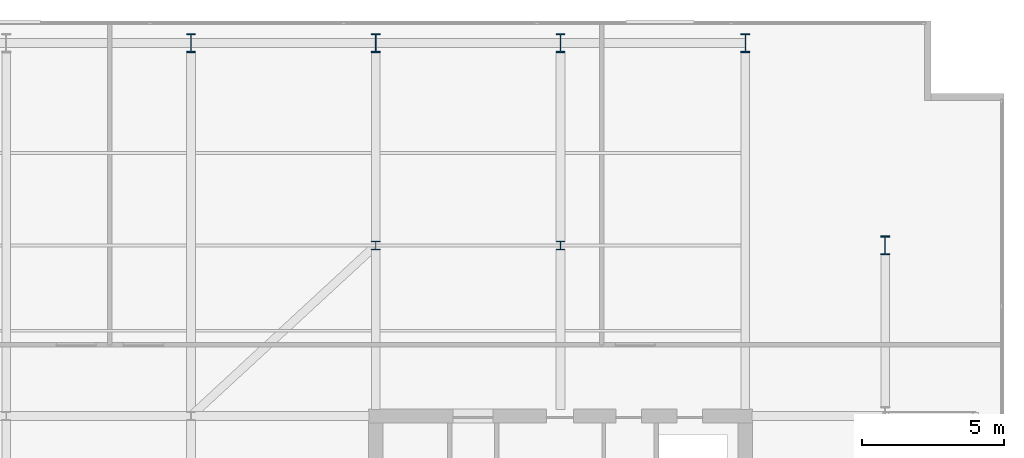
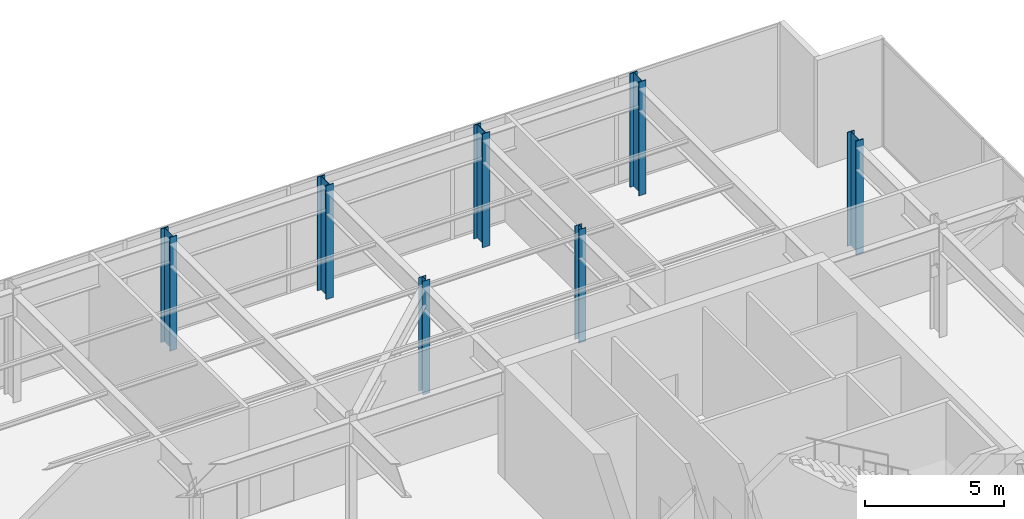
# One storey, part 4 of 23: 7 columns.
"""IFC4 building model written with IfcOpenShell, lengths in metres."""

from ifc_helpers import new_model, si_unit, direction, frame, origin, origin_2d, place, context, subcontext, project, spatial, i_section, extrude, material, material_profile, profile_set, type_object, element, save


model = new_model("IFC4")

# Units and contexts
model_context = context("Model", 3, precision=1e-05, world=origin(), true_north=direction((0.0, 1.0)))
body_context = subcontext(model_context, "Body", "Model", "MODEL_VIEW")
ifc_project = project(units=[si_unit("LENGTHUNIT", "METRE"), si_unit("AREAUNIT", "SQUARE_METRE"), si_unit("VOLUMEUNIT", "CUBIC_METRE"), si_unit("PLANEANGLEUNIT", "RADIAN"), si_unit("MASSUNIT", "GRAM", prefix="KILO")], contexts=[model_context])

# Site, building, storey
site_placement = place(None, origin())
site = spatial("IfcSite", under=ifc_project, at=site_placement, CompositionType="ELEMENT")
building_placement = place(site_placement, origin())
building = spatial("IfcBuilding", under=site, at=building_placement, Name="Putna Gate Headquarters", CompositionType="ELEMENT")
storey_placement = place(building_placement, frame((0.0, 0.0, 310.39990234375)))
storey = spatial("IfcBuildingStorey", under=building, at=storey_placement, Name="L78", CompositionType="ELEMENT", Elevation=310.39990234375)

# Columns
ifc_material = material(Name="Steel S460M", Category="steel")
ifc_material_profile_1 = material_profile(ifc_material, i_section(OverallWidth=0.300048828125, OverallDepth=0.300048828125, WebThickness=0.010986328125, FlangeThickness=0.01904296875, at=origin_2d()), Name="Steel S460M")
ifc_profile_set_1 = profile_set([ifc_material_profile_1], Name="Steel S460M")
column_type_1 = type_object("IfcColumnType", Name="COL-STL-HEB300-CRN", PredefinedType="COLUMN", material=ifc_profile_set_1)
for number, where, z_axis, x_axis, name in (
    (1, (58.5, 39.0, 0.0), (0.0, 0.0, 1.0), (1.0, 0.0, 0.0), "L78 Column CSI-EN"),
    (2, (52.0, 39.0, 0.0), (0.0, 0.0, 1.0), (1.0, 0.0, 0.0), "L78 Column CAP-EN"),
):
    element("IfcColumn", number, at=place(storey_placement, frame(where, z_axis=z_axis, x_axis=x_axis)), inside=storey, type_object=column_type_1, Name=name, PredefinedType="COLUMN", context=body_context, shape_type="SweptSolid", body=[
        extrude(i_section(OverallWidth=0.300048828125, OverallDepth=0.300048828125, WebThickness=0.010986328125, FlangeThickness=0.01904296875, at=origin_2d()), origin(), (0.0, 0.0, 1.0), 5.0),
    ])
ifc_material_profile_2 = material_profile(ifc_material, i_section(OverallWidth=0.304931640625, OverallDepth=0.66796875, WebThickness=0.02099609375, FlangeThickness=0.0400390625, at=origin_2d()), Name="Steel S460M")
ifc_profile_set_2 = profile_set([ifc_material_profile_2], Name="Steel S460M")
column_type_2 = type_object("IfcColumnType", Name="COL-STL-HEM650-EXT", PredefinedType="COLUMN", material=ifc_profile_set_2)
for number, where, z_axis, x_axis, name in (
    (3, (45.5, 46.1201171875, 0.0), (0.0, 0.0, 1.0), (1.0, 0.0, 0.0), "L78 Column CP-N45"),
    (4, (52.0, 46.1201171875, 0.0), (0.0, 0.0, 1.0), (1.0, 0.0, 0.0), "L78 Column CP-N52"),
    (5, (58.5, 46.1201171875, 0.0), (0.0, 0.0, 1.0), (1.0, 0.0, 0.0), "L78 Column CP-N58"),
    (6, (65.0, 46.1201171875, 0.0), (0.0, 0.0, 1.0), (1.0, 0.0, 0.0), "L78 Column CP-N65"),
    (7, (69.919921875, 39.0, 0.0), (0.0, 0.0, 1.0), (1.0, 0.0, 0.0), "L78 Column CP-E39"),
):
    element("IfcColumn", number, at=place(storey_placement, frame(where, z_axis=z_axis, x_axis=x_axis)), inside=storey, type_object=column_type_2, Name=name, PredefinedType="COLUMN", context=body_context, shape_type="SweptSolid", body=[
        extrude(i_section(OverallWidth=0.304931640625, OverallDepth=0.66796875, WebThickness=0.02099609375, FlangeThickness=0.0400390625, at=origin_2d()), origin(), (0.0, 0.0, 1.0), 5.0),
    ])

save(model, "model.ifc")
